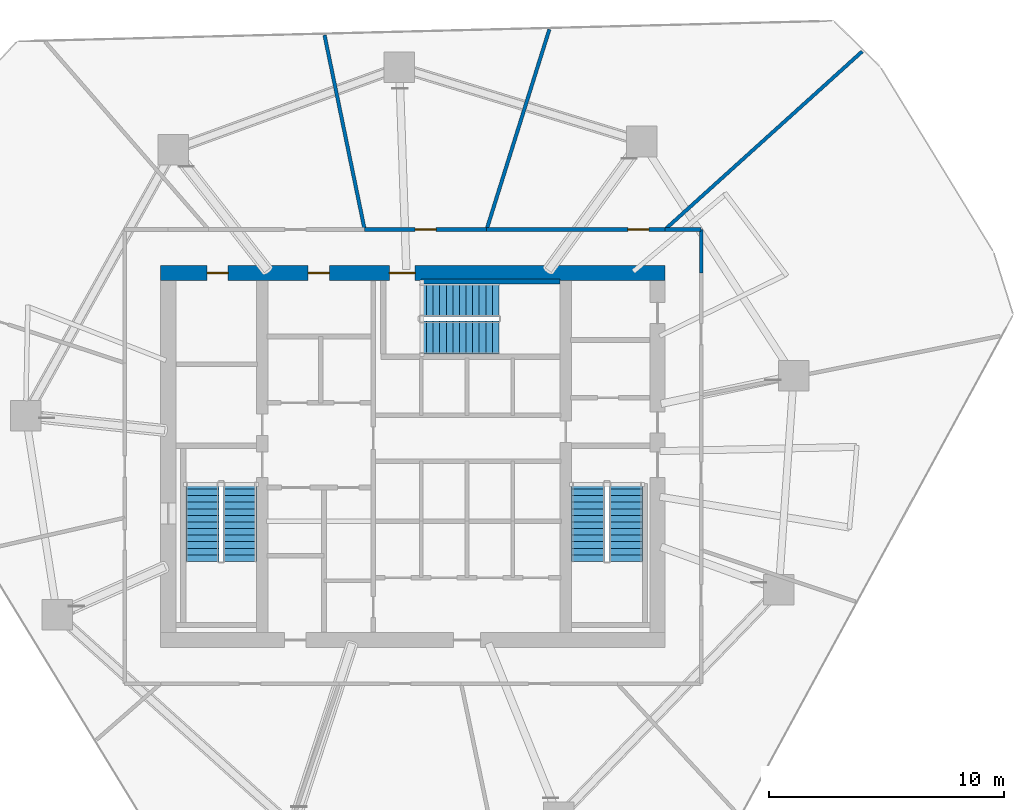
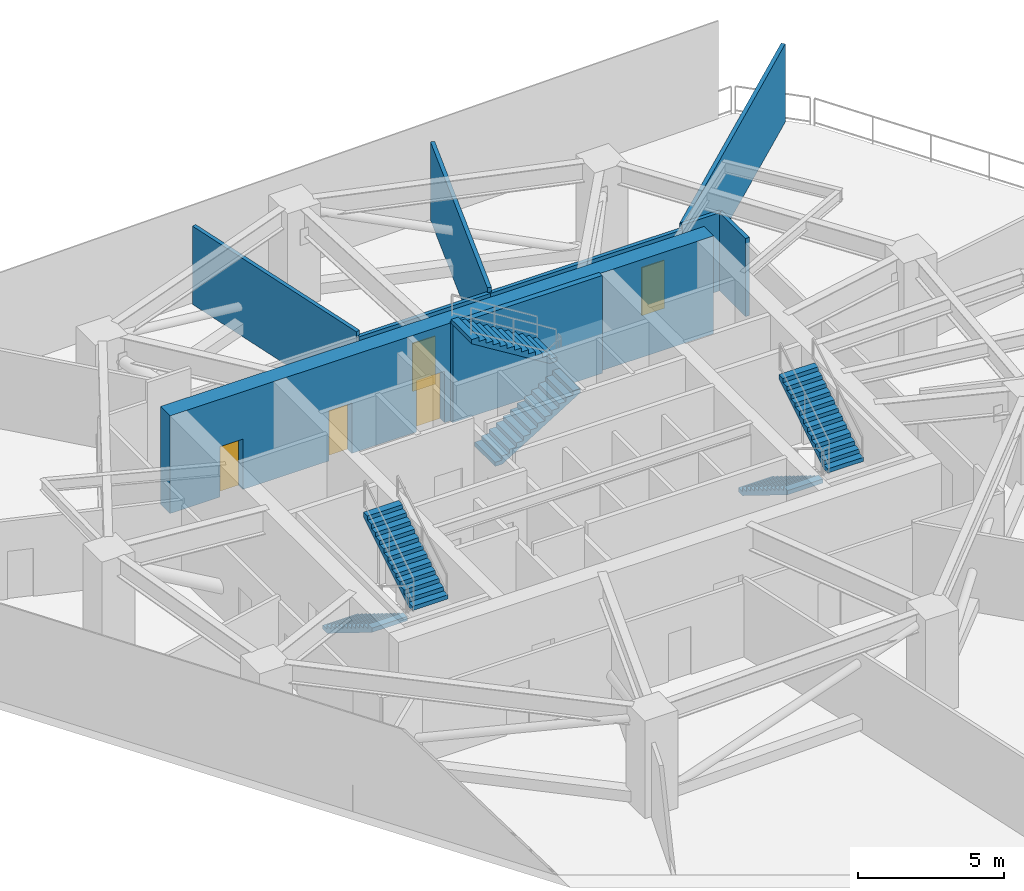
# One storey, part 5 of 7: 9 walls, 6 stair flights, 5 doors, 5 openings, 3 elements without a shape of their own.
"""IFC4 building model written with IfcOpenShell, lengths in metres."""

from ifc_helpers import new_model, si_unit, direction, frame, frame_2d, origin, place, context, subcontext, project, spatial, polyline, rectangle, outline, extrude, material, layer, layer_set, type_object, element, fill, aggregate, save


model = new_model("IFC4")

# Units and contexts
model_context = context("Model", 3, precision=1e-05, world=origin(), true_north=direction((0.0, 1.0)))
body_context = subcontext(model_context, "Body", "Model", "MODEL_VIEW")
ifc_project = project(units=[si_unit("LENGTHUNIT", "METRE"), si_unit("AREAUNIT", "SQUARE_METRE"), si_unit("VOLUMEUNIT", "CUBIC_METRE"), si_unit("PLANEANGLEUNIT", "RADIAN"), si_unit("MASSUNIT", "GRAM", prefix="KILO")], contexts=[model_context])

# Site, building, storey
site_placement = place(None, origin())
site = spatial("IfcSite", under=ifc_project, at=site_placement, CompositionType="ELEMENT")
building_placement = place(site_placement, origin())
building = spatial("IfcBuilding", under=site, at=building_placement, Name="Qarnah Convention Tower", CompositionType="ELEMENT")
storey_placement = place(building_placement, frame((0.0, 0.0, 71.85009765625)))
storey = spatial("IfcBuildingStorey", under=building, at=storey_placement, Name="L18", CompositionType="ELEMENT", Elevation=71.85009765625)

# Wall, openings, doors
ifc_material_1 = material(Name="Concrete C60/75", Category="concrete")
ifc_layer_1 = layer(ifc_material_1, 0.64990234375)
ifc_layer_set_1 = layer_set([ifc_layer_1], Name="Concrete C60/75")
wall_type_1 = type_object("IfcWallType", Name="WL-CORE-650", PredefinedType="SHEAR", material=ifc_layer_set_1)
wall_1_placement = place(storey_placement, frame((26.47509765625, 34.199951171875, 0.0), z_axis=(0.0, 0.0, 1.0), x_axis=(1.0, 0.0, 0.0)))
wall_1 = element("IfcWall", 1, at=wall_1_placement, inside=storey, type_object=wall_type_1, Name="L18 core north shear wall", PredefinedType="SHEAR", context=body_context, shape_type="SweptSolid", body=[
    extrude(rectangle(XDim=21.449951171875, YDim=0.64990234375, at=frame_2d((10.72509765625, 0.0))), origin(), (0.0, 0.0, 1.0), 4.079833984375),
])
opening_1_placement = place(wall_1_placement, frame((9.72509765625, 0.0, 0.0)))
opening_1 = element("IfcOpeningElement", 2, at=opening_1_placement, cuts=wall_1, Name="Opening D-1803", PredefinedType="OPENING", context=body_context, shape_type="SweptSolid", body=[
    extrude(rectangle(XDim=1.10009765625, YDim=2.14990234375, at=frame_2d((0.550048828125, 1.074951171875))), frame((0.0, 0.3349609375, 0.0), z_axis=(0.0, -1.0, 0.0), x_axis=(1.0, 0.0, 0.0)), (0.0, 0.0, 1.0), 0.669921875),
])
opening_2_placement = place(wall_1_placement, frame((1.97509765625, 0.0, 0.0)))
opening_2 = element("IfcOpeningElement", 3, at=opening_2_placement, cuts=wall_1, Name="Opening D-1809", PredefinedType="OPENING", context=body_context, shape_type="SweptSolid", body=[
    extrude(rectangle(XDim=0.89990234375, YDim=2.10009765625, at=frame_2d((0.449951171875, 1.050048828125))), frame((0.0, 0.3349609375, 0.0), z_axis=(0.0, -1.0, 0.0), x_axis=(1.0, 0.0, 0.0)), (0.0, 0.0, 1.0), 0.669921875),
])
opening_3_placement = place(wall_1_placement, frame((6.27490234375, 0.0, 0.0)))
opening_3 = element("IfcOpeningElement", 4, at=opening_3_placement, cuts=wall_1, Name="Opening D-1810", PredefinedType="OPENING", context=body_context, shape_type="SweptSolid", body=[
    extrude(rectangle(XDim=0.89990234375, YDim=2.10009765625, at=frame_2d((0.449951171875, 1.050048828125))), frame((0.0, 0.3349609375, 0.0), z_axis=(0.0, -1.0, 0.0), x_axis=(1.0, 0.0, 0.0)), (0.0, 0.0, 1.0), 0.669921875),
])
ifc_material_2 = material(Name="Structural steel S355JR", Category="steel")
door_type_1 = type_object("IfcDoorType", Name="DT-RISER-900", OperationType="NOTDEFINED", PredefinedType="DOOR", material=ifc_material_2)
door_1_placement = place(opening_2_placement, origin())
door_1 = element("IfcDoor", 5, at=door_1_placement, inside=storey, type_object=door_type_1, Name="Door D-1809", OperationType="SINGLE_SWING_RIGHT", OverallHeight=2.10009765625, OverallWidth=0.89990234375, PredefinedType="DOOR", context=body_context, shape_type="SweptSolid", body=[
    extrude(rectangle(XDim=0.89990234375, YDim=2.10009765625, at=frame_2d((0.449951171875, 1.050048828125))), frame((0.0, 0.02490234375, 0.0), z_axis=(0.0, -1.0, 0.0), x_axis=(1.0, 0.0, 0.0)), (0.0, 0.0, 1.0), 0.050048828125),
])
fill(opening_2, door_1)
door_2_placement = place(opening_3_placement, origin())
door_2 = element("IfcDoor", 6, at=door_2_placement, inside=storey, type_object=door_type_1, Name="Door D-1810", OperationType="SINGLE_SWING_LEFT", OverallHeight=2.10009765625, OverallWidth=0.89990234375, PredefinedType="DOOR", context=body_context, shape_type="SweptSolid", body=[
    extrude(rectangle(XDim=0.89990234375, YDim=2.10009765625, at=frame_2d((0.449951171875, 1.050048828125))), frame((0.0, 0.02490234375, 0.0), z_axis=(0.0, -1.0, 0.0), x_axis=(1.0, 0.0, 0.0)), (0.0, 0.0, 1.0), 0.050048828125),
])
fill(opening_3, door_2)
door_type_2 = type_object("IfcDoorType", Name="DT-STAIR-1100", OperationType="NOTDEFINED", PredefinedType="DOOR", material=ifc_material_2)
door_3_placement = place(opening_1_placement, origin())
door_3 = element("IfcDoor", 7, at=door_3_placement, inside=storey, type_object=door_type_2, Name="Door D-1803", OperationType="SINGLE_SWING_RIGHT", OverallHeight=2.14990234375, OverallWidth=1.10009765625, PredefinedType="DOOR", context=body_context, shape_type="SweptSolid", body=[
    extrude(rectangle(XDim=1.10009765625, YDim=2.14990234375, at=frame_2d((0.550048828125, 1.074951171875))), frame((0.0, 0.02490234375, 0.0), z_axis=(0.0, -1.0, 0.0), x_axis=(1.0, 0.0, 0.0)), (0.0, 0.0, 1.0), 0.050048828125),
])
fill(opening_1, door_3)

# Walls
ifc_layer_2 = layer(ifc_material_1, 0.219970703125)
ifc_layer_set_2 = layer_set([ifc_layer_2], Name="Concrete C60/75")
wall_type_2 = type_object("IfcWallType", Name="WL-CORE-STAIR-220", PredefinedType="SHEAR", material=ifc_layer_set_2)
wall_2_placement = place(storey_placement, frame((37.550048828125, 33.840087890625, 0.0), z_axis=(0.0, 0.0, 1.0), x_axis=(1.0, 0.0, 0.0)))
element("IfcWall", 8, at=wall_2_placement, inside=storey, type_object=wall_type_2, Name="L18 stair shaft shear wall SW-L18-ST3N", PredefinedType="SHEAR", context=body_context, shape_type="SweptSolid", body=[
    extrude(rectangle(XDim=5.89990234375, YDim=0.219970703125, at=frame_2d((2.949951171875, 0.0))), origin(), (0.0, 0.0, 1.0), 4.079833984375),
])
ifc_material_3 = material(Name="Gypsum partition board")
ifc_layer_3 = layer(ifc_material_3, 0.14990234375)
ifc_layer_set_3 = layer_set([ifc_layer_3], Name="Gypsum partition board")
wall_type_3 = type_object("IfcWallType", Name="WL-SUITE-150", PredefinedType="PARTITIONING", material=ifc_layer_set_3)
wall_3_placement = place(storey_placement, frame((56.301025390625, 43.62109375, 0.0), z_axis=(0.0, 0.0, 1.0), x_axis=(-0.74217442222, -0.670206779287, 0.0)))
element("IfcWall", 9, at=wall_3_placement, inside=storey, type_object=wall_type_3, Name="L18 interior wall IW-L18-R-01", PredefinedType="PARTITIONING", context=body_context, shape_type="SweptSolid", body=[
    extrude(rectangle(XDim=11.296630859375, YDim=0.14990234375, at=frame_2d((5.6484375, 0.0))), origin(), (0.0, 0.0, 1.0), 3.264892578125),
])
wall_4_placement = place(storey_placement, frame((47.9169921875, 36.050048828125, 0.0), z_axis=(0.0, 0.0, 1.0), x_axis=(1.0, 0.0, 0.0)))
element("IfcWall", 10, at=wall_4_placement, inside=storey, type_object=wall_type_3, Name="L18 interior wall IW-L18-R-02", PredefinedType="PARTITIONING", context=body_context, shape_type="SweptSolid", body=[
    extrude(rectangle(XDim=1.532958984375, YDim=0.14990234375, at=frame_2d((0.7666015625, 0.0))), origin(), (0.0, 0.0, 1.0), 3.264892578125),
])
wall_5_placement = place(storey_placement, frame((49.449951171875, 36.050048828125, 0.0), z_axis=(0.0, 0.0, 1.0), x_axis=(0.0, -1.0, 0.0)))
element("IfcWall", 11, at=wall_5_placement, inside=storey, type_object=wall_type_3, Name="L18 interior wall IW-L18-R-03", PredefinedType="PARTITIONING", context=body_context, shape_type="SweptSolid", body=[
    extrude(rectangle(XDim=1.85009765625, YDim=0.14990234375, at=frame_2d((0.925048828125, 0.0))), origin(), (0.0, 0.0, 1.0), 3.264892578125),
])
wall_6_placement = place(storey_placement, frame((43.0009765625, 44.553955078125, 0.0), z_axis=(0.0, 0.0, 1.0), x_axis=(-0.299148373838, -0.954206607832, 0.0)))
element("IfcWall", 12, at=wall_6_placement, inside=storey, type_object=wall_type_3, Name="L18 interior wall IW-L18-R-06", PredefinedType="PARTITIONING", context=body_context, shape_type="SweptSolid", body=[
    extrude(rectangle(XDim=8.912109375, YDim=0.14990234375, at=frame_2d((4.4560546875, 0.0))), origin(), (0.0, 0.0, 1.0), 3.264892578125),
])

# Wall, opening, door
wall_7_placement = place(storey_placement, frame((40.3349609375, 36.050048828125, 0.0), z_axis=(0.0, 0.0, 1.0), x_axis=(1.0, 0.0, 0.0)))
wall_7 = element("IfcWall", 13, at=wall_7_placement, inside=storey, type_object=wall_type_3, Name="L18 interior wall IW-L18-R-07", PredefinedType="PARTITIONING", context=body_context, shape_type="SweptSolid", body=[
    extrude(rectangle(XDim=7.58203125, YDim=0.14990234375, at=frame_2d((3.791015625, 0.0))), origin(), (0.0, 0.0, 1.0), 3.06494140625),
])
opening_4_placement = place(wall_7_placement, frame((5.9990234375, 0.0, 0.0)))
opening_4 = element("IfcOpeningElement", 14, at=opening_4_placement, cuts=wall_7, Name="Opening D-1817", PredefinedType="OPENING", context=body_context, shape_type="SweptSolid", body=[
    extrude(rectangle(XDim=0.89990234375, YDim=2.0, at=frame_2d((0.449951171875, 1.0))), frame((0.0, 0.0849609375, 0.0), z_axis=(0.0, -1.0, 0.0), x_axis=(1.0, 0.0, 0.0)), (0.0, 0.0, 1.0), 0.169921875),
])
door_type_3 = type_object("IfcDoorType", Name="DT-PLANT-900", OperationType="NOTDEFINED", PredefinedType="DOOR", material=ifc_material_2)
door_4_placement = place(opening_4_placement, origin())
door_4 = element("IfcDoor", 15, at=door_4_placement, inside=storey, type_object=door_type_3, Name="Door D-1817", OperationType="SINGLE_SWING_RIGHT", OverallHeight=2.0, OverallWidth=0.89990234375, PredefinedType="DOOR", context=body_context, shape_type="SweptSolid", body=[
    extrude(rectangle(XDim=0.89990234375, YDim=2.0, at=frame_2d((0.449951171875, 1.0))), frame((0.0, 0.02490234375, 0.0), z_axis=(0.0, -1.0, 0.0), x_axis=(1.0, 0.0, 0.0)), (0.0, 0.0, 1.0), 0.050048828125),
])
fill(opening_4, door_4)

# Wall
wall_8_placement = place(storey_placement, frame((33.445068359375, 44.31005859375, 0.0), z_axis=(0.0, 0.0, 1.0), x_axis=(0.202024539088, -0.97938046009, 0.0)))
element("IfcWall", 16, at=wall_8_placement, inside=storey, type_object=wall_type_3, Name="L18 interior wall IW-L18-R-08", PredefinedType="PARTITIONING", context=body_context, shape_type="SweptSolid", body=[
    extrude(rectangle(XDim=8.433837890625, YDim=0.14990234375, at=frame_2d((4.216796875, 0.0))), origin(), (0.0, 0.0, 1.0), 3.264892578125),
])

# Wall, opening, door
wall_9_placement = place(storey_placement, frame((35.14892578125, 36.050048828125, 0.0), z_axis=(0.0, 0.0, 1.0), x_axis=(1.0, 0.0, 0.0)))
wall_9 = element("IfcWall", 17, at=wall_9_placement, inside=storey, type_object=wall_type_3, Name="L18 interior wall IW-L18-R-09", PredefinedType="PARTITIONING", context=body_context, shape_type="SweptSolid", body=[
    extrude(rectangle(XDim=5.18603515625, YDim=0.14990234375, at=frame_2d((2.593017578125, 0.0))), origin(), (0.0, 0.0, 1.0), 3.06494140625),
])
opening_5_placement = place(wall_9_placement, frame((2.14306640625, 0.0, 0.0)))
opening_5 = element("IfcOpeningElement", 18, at=opening_5_placement, cuts=wall_9, Name="Opening D-1818", PredefinedType="OPENING", context=body_context, shape_type="SweptSolid", body=[
    extrude(rectangle(XDim=0.89990234375, YDim=2.0, at=frame_2d((0.449951171875, 1.0))), frame((0.0, 0.0849609375, 0.0), z_axis=(0.0, -1.0, 0.0), x_axis=(1.0, 0.0, 0.0)), (0.0, 0.0, 1.0), 0.169921875),
])
door_5_placement = place(opening_5_placement, origin())
door_5 = element("IfcDoor", 19, at=door_5_placement, inside=storey, type_object=door_type_3, Name="Door D-1818", OperationType="SINGLE_SWING_LEFT", OverallHeight=2.0, OverallWidth=0.89990234375, PredefinedType="DOOR", context=body_context, shape_type="SweptSolid", body=[
    extrude(rectangle(XDim=0.89990234375, YDim=2.0, at=frame_2d((0.449951171875, 1.0))), frame((0.0, 0.02490234375, 0.0), z_axis=(0.0, -1.0, 0.0), x_axis=(1.0, 0.0, 0.0)), (0.0, 0.0, 1.0), 0.050048828125),
])
fill(opening_5, door_5)

# Stair, stair flights
ifc_material_4 = material(Name="Concrete C50/60", Category="concrete")
stair_type = type_object("IfcStairType", Name="STR-PLT", PredefinedType="HALF_TURN_STAIR", material=ifc_material_4)
stair_1_placement = place(storey_placement, origin())
stair_1 = element("IfcStair", 20, at=stair_1_placement, inside=storey, type_object=stair_type, Name="L18 Core exit stair ST-1", PredefinedType="HALF_TURN_STAIR")
stair_flight_type = type_object("IfcStairFlightType", Name="FLT-PLT", PredefinedType="STRAIGHT", material=ifc_material_4)
stair_flight_1_placement = place(storey_placement, frame((28.25, 25.300048828125, 0.0), z_axis=(0.0, 0.0, 1.0), x_axis=(0.0, -1.0, 0.0)))
stair_flight_1 = element("IfcStairFlight", 21, at=stair_flight_1_placement, type_object=stair_flight_type, Name="ST-1 flight 1", NumberOfRisers=13, NumberOfTreads=12, PredefinedType="STRAIGHT", RiserHeight=0.173076923, TreadLength=0.28, context=body_context, shape_type="SweptSolid", body=[
    extrude(outline(polyline([(0.0, 0.0), (0.0, 0.173095703125), (0.280029296875, 0.173095703125), (0.280029296875, 0.34619140625), (0.56005859375, 0.34619140625), (0.56005859375, 0.519287109375), (0.840087890625, 0.519287109375), (0.840087890625, 0.6923828125), (1.1201171875, 0.6923828125), (1.1201171875, 0.865478515625), (1.39990234375, 0.865478515625), (1.39990234375, 1.03857421875), (1.679931640625, 1.03857421875), (1.679931640625, 1.21142578125), (1.9599609375, 1.21142578125), (1.9599609375, 1.384521484375), (2.239990234375, 1.384521484375), (2.239990234375, 1.5576171875), (2.52001953125, 1.5576171875), (2.52001953125, 1.730712890625), (2.800048828125, 1.730712890625), (2.800048828125, 1.90380859375), (3.080078125, 1.90380859375), (3.080078125, 2.076904296875), (3.360107421875, 2.076904296875), (3.360107421875, 2.25), (3.360107421875, 1.900634765625), (0.28515625, 0.0), (0.0, 0.0)])), frame((0.0, 0.699951171875, 0.0), z_axis=(0.0, -1.0, 0.0), x_axis=(1.0, 0.0, 0.0)), (0.0, 0.0, 1.0), 1.39990234375),
])
stair_flight_2_placement = place(storey_placement, frame((29.85009765625, 21.93994140625, 2.25), z_axis=(0.0, 0.0, 1.0), x_axis=(0.0, 1.0, 0.0)))
stair_flight_2 = element("IfcStairFlight", 22, at=stair_flight_2_placement, type_object=stair_flight_type, Name="ST-1 flight 2", NumberOfRisers=13, NumberOfTreads=12, PredefinedType="STRAIGHT", RiserHeight=0.173076923, TreadLength=0.28, context=body_context, shape_type="SweptSolid", body=[
    extrude(outline(polyline([(0.0, 0.0), (0.0, 0.173095703125), (0.280029296875, 0.173095703125), (0.280029296875, 0.34619140625), (0.56005859375, 0.34619140625), (0.56005859375, 0.519287109375), (0.840087890625, 0.519287109375), (0.840087890625, 0.6923828125), (1.1201171875, 0.6923828125), (1.1201171875, 0.865478515625), (1.39990234375, 0.865478515625), (1.39990234375, 1.03857421875), (1.679931640625, 1.03857421875), (1.679931640625, 1.21142578125), (1.9599609375, 1.21142578125), (1.9599609375, 1.384521484375), (2.239990234375, 1.384521484375), (2.239990234375, 1.5576171875), (2.52001953125, 1.5576171875), (2.52001953125, 1.730712890625), (2.800048828125, 1.730712890625), (2.800048828125, 1.90380859375), (3.080078125, 1.90380859375), (3.080078125, 2.076904296875), (3.360107421875, 2.076904296875), (3.360107421875, 2.25), (3.360107421875, 1.900634765625), (0.28515625, 0.0), (0.0, 0.0)])), frame((0.0, 0.699951171875, 0.0), z_axis=(0.0, -1.0, 0.0), x_axis=(1.0, 0.0, 0.0)), (0.0, 0.0, 1.0), 1.39990234375),
])
aggregate(stair_1, [stair_flight_1, stair_flight_2])

stair_2_placement = place(storey_placement, origin())
stair_2 = element("IfcStair", 23, at=stair_2_placement, inside=storey, type_object=stair_type, Name="L18 Core exit stair ST-2", PredefinedType="HALF_TURN_STAIR")
stair_flight_3_placement = place(storey_placement, frame((44.64990234375, 25.300048828125, 0.0), z_axis=(0.0, 0.0, 1.0), x_axis=(0.0, -1.0, 0.0)))
stair_flight_3 = element("IfcStairFlight", 24, at=stair_flight_3_placement, type_object=stair_flight_type, Name="ST-2 flight 1", NumberOfRisers=13, NumberOfTreads=12, PredefinedType="STRAIGHT", RiserHeight=0.173076923, TreadLength=0.28, context=body_context, shape_type="SweptSolid", body=[
    extrude(outline(polyline([(0.0, 0.0), (0.0, 0.173095703125), (0.280029296875, 0.173095703125), (0.280029296875, 0.34619140625), (0.56005859375, 0.34619140625), (0.56005859375, 0.519287109375), (0.840087890625, 0.519287109375), (0.840087890625, 0.6923828125), (1.1201171875, 0.6923828125), (1.1201171875, 0.865478515625), (1.39990234375, 0.865478515625), (1.39990234375, 1.03857421875), (1.679931640625, 1.03857421875), (1.679931640625, 1.21142578125), (1.9599609375, 1.21142578125), (1.9599609375, 1.384521484375), (2.239990234375, 1.384521484375), (2.239990234375, 1.5576171875), (2.52001953125, 1.5576171875), (2.52001953125, 1.730712890625), (2.800048828125, 1.730712890625), (2.800048828125, 1.90380859375), (3.080078125, 1.90380859375), (3.080078125, 2.076904296875), (3.360107421875, 2.076904296875), (3.360107421875, 2.25), (3.360107421875, 1.900634765625), (0.28515625, 0.0), (0.0, 0.0)])), frame((0.0, 0.699951171875, 0.0), z_axis=(0.0, -1.0, 0.0), x_axis=(1.0, 0.0, 0.0)), (0.0, 0.0, 1.0), 1.39990234375),
])
stair_flight_4_placement = place(storey_placement, frame((46.25, 21.93994140625, 2.25), z_axis=(0.0, 0.0, 1.0), x_axis=(0.0, 1.0, 0.0)))
stair_flight_4 = element("IfcStairFlight", 25, at=stair_flight_4_placement, type_object=stair_flight_type, Name="ST-2 flight 2", NumberOfRisers=13, NumberOfTreads=12, PredefinedType="STRAIGHT", RiserHeight=0.173076923, TreadLength=0.28, context=body_context, shape_type="SweptSolid", body=[
    extrude(outline(polyline([(0.0, 0.0), (0.0, 0.173095703125), (0.280029296875, 0.173095703125), (0.280029296875, 0.34619140625), (0.56005859375, 0.34619140625), (0.56005859375, 0.519287109375), (0.840087890625, 0.519287109375), (0.840087890625, 0.6923828125), (1.1201171875, 0.6923828125), (1.1201171875, 0.865478515625), (1.39990234375, 0.865478515625), (1.39990234375, 1.03857421875), (1.679931640625, 1.03857421875), (1.679931640625, 1.21142578125), (1.9599609375, 1.21142578125), (1.9599609375, 1.384521484375), (2.239990234375, 1.384521484375), (2.239990234375, 1.5576171875), (2.52001953125, 1.5576171875), (2.52001953125, 1.730712890625), (2.800048828125, 1.730712890625), (2.800048828125, 1.90380859375), (3.080078125, 1.90380859375), (3.080078125, 2.076904296875), (3.360107421875, 2.076904296875), (3.360107421875, 2.25), (3.360107421875, 1.900634765625), (0.28515625, 0.0), (0.0, 0.0)])), frame((0.0, 0.699951171875, 0.0), z_axis=(0.0, -1.0, 0.0), x_axis=(1.0, 0.0, 0.0)), (0.0, 0.0, 1.0), 1.39990234375),
])
aggregate(stair_2, [stair_flight_3, stair_flight_4])

stair_3_placement = place(storey_placement, origin())
stair_3 = element("IfcStair", 26, at=stair_3_placement, inside=storey, type_object=stair_type, Name="L18 Core exit stair ST-3", PredefinedType="HALF_TURN_STAIR")
stair_flight_5_placement = place(storey_placement, frame((37.5, 31.449951171875, 0.0), z_axis=(0.0, 0.0, 1.0), x_axis=(1.0, 0.0, 0.0)))
stair_flight_5 = element("IfcStairFlight", 27, at=stair_flight_5_placement, type_object=stair_flight_type, Name="ST-3 flight 1", NumberOfRisers=13, NumberOfTreads=12, PredefinedType="STRAIGHT", RiserHeight=0.173076923, TreadLength=0.28, context=body_context, shape_type="SweptSolid", body=[
    extrude(outline(polyline([(0.0, 0.0), (0.0, 0.173095703125), (0.280029296875, 0.173095703125), (0.280029296875, 0.34619140625), (0.56005859375, 0.34619140625), (0.56005859375, 0.519287109375), (0.840087890625, 0.519287109375), (0.840087890625, 0.6923828125), (1.1201171875, 0.6923828125), (1.1201171875, 0.865478515625), (1.39990234375, 0.865478515625), (1.39990234375, 1.03857421875), (1.679931640625, 1.03857421875), (1.679931640625, 1.21142578125), (1.9599609375, 1.21142578125), (1.9599609375, 1.384521484375), (2.239990234375, 1.384521484375), (2.239990234375, 1.5576171875), (2.52001953125, 1.5576171875), (2.52001953125, 1.730712890625), (2.800048828125, 1.730712890625), (2.800048828125, 1.90380859375), (3.080078125, 1.90380859375), (3.080078125, 2.076904296875), (3.360107421875, 2.076904296875), (3.360107421875, 2.25), (3.360107421875, 1.900634765625), (0.28515625, 0.0), (0.0, 0.0)])), frame((0.0, 0.699951171875, 0.0), z_axis=(0.0, -1.0, 0.0), x_axis=(1.0, 0.0, 0.0)), (0.0, 0.0, 1.0), 1.39990234375),
])
stair_flight_6_placement = place(storey_placement, frame((40.860107421875, 33.050048828125, 2.25), z_axis=(0.0, 0.0, 1.0), x_axis=(-1.0, 0.0, 0.0)))
stair_flight_6 = element("IfcStairFlight", 28, at=stair_flight_6_placement, type_object=stair_flight_type, Name="ST-3 flight 2", NumberOfRisers=13, NumberOfTreads=12, PredefinedType="STRAIGHT", RiserHeight=0.173076923, TreadLength=0.28, context=body_context, shape_type="SweptSolid", body=[
    extrude(outline(polyline([(0.0, 0.0), (0.0, 0.173095703125), (0.280029296875, 0.173095703125), (0.280029296875, 0.34619140625), (0.56005859375, 0.34619140625), (0.56005859375, 0.519287109375), (0.840087890625, 0.519287109375), (0.840087890625, 0.6923828125), (1.1201171875, 0.6923828125), (1.1201171875, 0.865478515625), (1.39990234375, 0.865478515625), (1.39990234375, 1.03857421875), (1.679931640625, 1.03857421875), (1.679931640625, 1.21142578125), (1.9599609375, 1.21142578125), (1.9599609375, 1.384521484375), (2.239990234375, 1.384521484375), (2.239990234375, 1.5576171875), (2.52001953125, 1.5576171875), (2.52001953125, 1.730712890625), (2.800048828125, 1.730712890625), (2.800048828125, 1.90380859375), (3.080078125, 1.90380859375), (3.080078125, 2.076904296875), (3.360107421875, 2.076904296875), (3.360107421875, 2.25), (3.360107421875, 1.900634765625), (0.28515625, 0.0), (0.0, 0.0)])), frame((0.0, 0.699951171875, 0.0), z_axis=(0.0, -1.0, 0.0), x_axis=(1.0, 0.0, 0.0)), (0.0, 0.0, 1.0), 1.39990234375),
])
aggregate(stair_3, [stair_flight_5, stair_flight_6])

save(model, "model.ifc")
